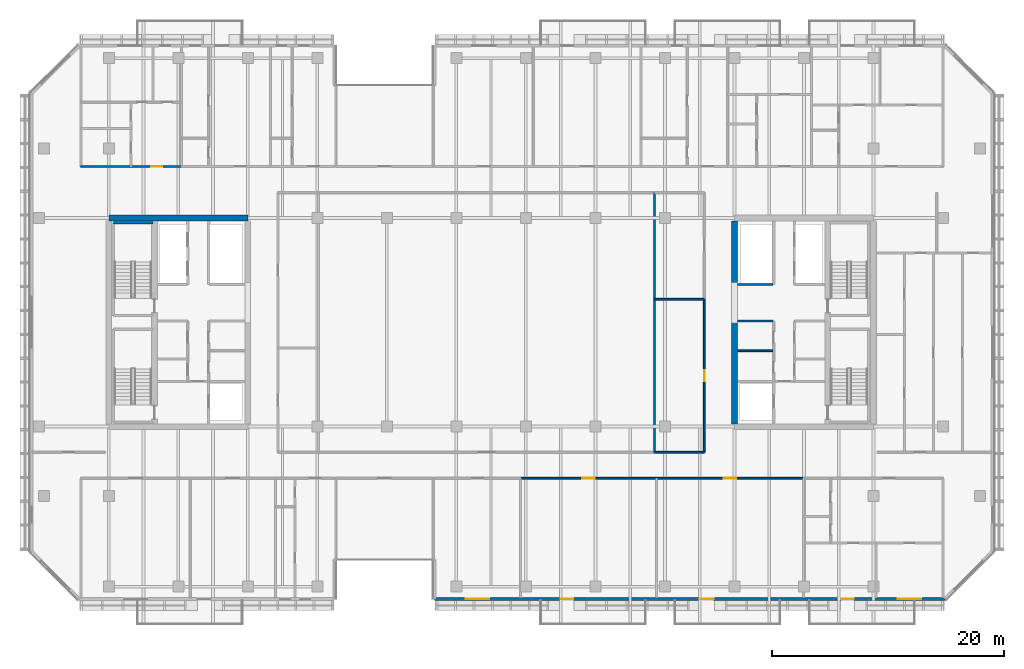
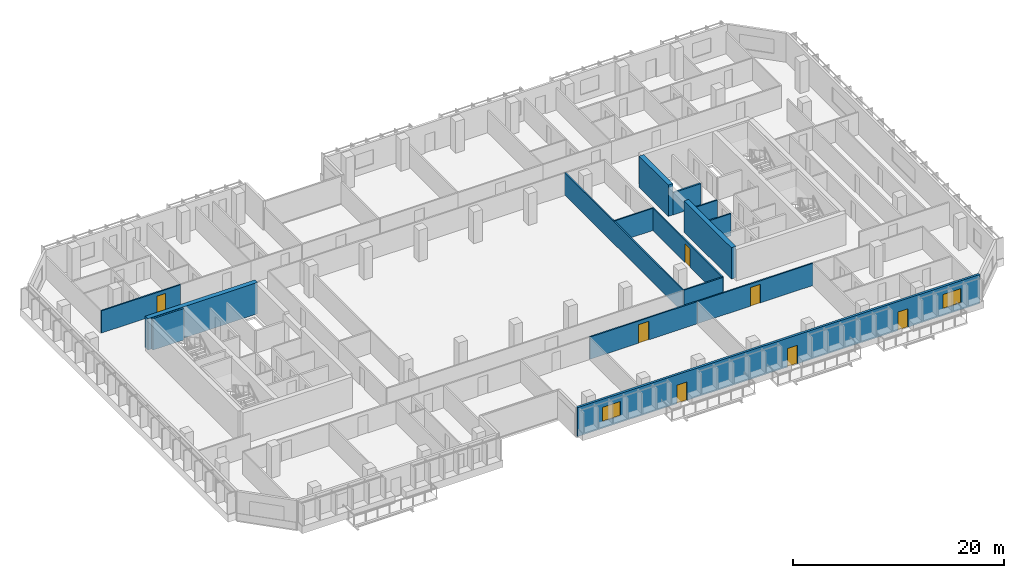
# One storey, part 12 of 23: 15 walls, 7 doors, 2 windows, 9 openings.
"""IFC4 building model written with IfcOpenShell, lengths in metres."""

from ifc_helpers import new_model, si_unit, direction, frame, frame_2d, origin, place, context, subcontext, project, spatial, rectangle, extrude, material, layer, layer_set, type_object, element, fill, save


model = new_model("IFC4")

# Units and contexts
model_context = context("Model", 3, precision=1e-05, world=origin(), true_north=direction((0.0, 1.0)))
body_context = subcontext(model_context, "Body", "Model", "MODEL_VIEW")
ifc_project = project(units=[si_unit("LENGTHUNIT", "METRE"), si_unit("AREAUNIT", "SQUARE_METRE"), si_unit("VOLUMEUNIT", "CUBIC_METRE"), si_unit("PLANEANGLEUNIT", "RADIAN"), si_unit("MASSUNIT", "GRAM", prefix="KILO")], contexts=[model_context])

# Site, building, storey
site_placement = place(None, origin())
site = spatial("IfcSite", under=ifc_project, at=site_placement, CompositionType="ELEMENT")
building_placement = place(site_placement, origin())
building = spatial("IfcBuilding", under=site, at=building_placement, Name="Tanjung Sevakor Pilgrim Tower", CompositionType="ELEMENT")
storey_placement = place(building_placement, frame((0.0, 0.0, 119.4599609375)))
storey = spatial("IfcBuildingStorey", under=building, at=storey_placement, Name="L33", CompositionType="ELEMENT", Elevation=119.4599609375)

# Walls
ifc_material_1 = material(Name="Concrete C60/75", Category="concrete")
ifc_layer_1 = layer(ifc_material_1, 0.5)
ifc_layer_set_1 = layer_set([ifc_layer_1], Name="WALL-CW-500")
wall_type_1 = type_object("IfcWallType", Name="WALL-CW-500", PredefinedType="SHEAR", material=ifc_layer_set_1)
wall_1_placement = place(storey_placement, frame((36.0, 42.60009765625, 0.0), z_axis=(0.0, 0.0, 1.0), x_axis=(-1.0, 0.0, 0.0)))
element("IfcWall", 1, at=wall_1_placement, inside=storey, type_object=wall_type_1, Name="L33 W Core North Shear Wall", PredefinedType="SHEAR", context=body_context, shape_type="SweptSolid", body=[
    extrude(rectangle(XDim=12.0, YDim=0.5, at=frame_2d((6.0, 0.0))), origin(), (0.0, 0.0, 1.0), 3.630126953125),
])
wall_2_placement = place(storey_placement, frame((78.0, 24.85009765625, 0.0), z_axis=(0.0, 0.0, 1.0), x_axis=(0.0, 1.0, 0.0)))
element("IfcWall", 2, at=wall_2_placement, inside=storey, type_object=wall_type_1, Name="L33 E Core Inner Shear Wall South", PredefinedType="SHEAR", context=body_context, shape_type="SweptSolid", body=[
    extrude(rectangle(XDim=8.949951171875, YDim=0.5, at=frame_2d((4.47509765625, 0.0))), origin(), (0.0, 0.0, 1.0), 3.630126953125),
])
wall_3_placement = place(storey_placement, frame((78.0, 36.800048828125, 0.0), z_axis=(0.0, 0.0, 1.0), x_axis=(0.0, 1.0, 0.0)))
element("IfcWall", 3, at=wall_3_placement, inside=storey, type_object=wall_type_1, Name="L33 E Core Inner Shear Wall North", PredefinedType="SHEAR", context=body_context, shape_type="SweptSolid", body=[
    extrude(rectangle(XDim=5.550048828125, YDim=0.5, at=frame_2d((2.77490234375, 0.0))), origin(), (0.0, 0.0, 1.0), 3.630126953125),
])
ifc_material_2 = material(Name="Concrete C40/50", Category="concrete")
ifc_layer_2 = layer(ifc_material_2, 0.14990234375)
ifc_layer_set_2 = layer_set([ifc_layer_2], Name="WT-COMP-150")
wall_type_2 = type_object("IfcWallType", Name="WT-COMP-150", PredefinedType="SOLIDWALL", material=ifc_layer_set_2)
for number, where, z_axis, x_axis, name in (
    (4, (78.27001953125, 31.14990234375, 0.0), (0.0, 0.0, 1.0), (1.0, 0.0, 0.0), "L33 Partition IW-L33-018"),
    (5, (78.27001953125, 33.719970703125, 0.0), (0.0, 0.0, 1.0), (1.0, 0.0, 0.0), "L33 Partition IW-L33-019"),
):
    element("IfcWall", number, at=place(storey_placement, frame(where, z_axis=z_axis, x_axis=x_axis)), inside=storey, type_object=wall_type_2, Name=name, PredefinedType="SOLIDWALL", context=body_context, shape_type="SweptSolid", body=[
        extrude(rectangle(XDim=3.050048828125, YDim=0.14990234375, at=frame_2d((1.52490234375, 0.0))), origin(), (0.0, 0.0, 1.0), 2.570068359375),
    ])
wall_4_placement = place(storey_placement, frame((71.10009765625, 22.39990234375, 0.0), z_axis=(0.0, 0.0, 1.0), x_axis=(0.0, 1.0, 0.0)))
element("IfcWall", 6, at=wall_4_placement, inside=storey, type_object=wall_type_2, Name="L33 Partition IW-L33-033", PredefinedType="SOLIDWALL", context=body_context, shape_type="SweptSolid", body=[
    extrude(rectangle(XDim=22.400146484375, YDim=0.14990234375, at=frame_2d((11.2001953125, 0.0))), origin(), (0.0, 0.0, 1.0), 2.570068359375),
])
for number, where, z_axis, x_axis, name in (
    (7, (71.10009765625, 22.39990234375, 0.0), (0.0, 0.0, 1.0), (1.0, 0.0, 0.0), "L33 Partition IW-L33-034"),
    (8, (71.10009765625, 35.60009765625, 0.0), (0.0, 0.0, 1.0), (1.0, 0.0, 0.0), "L33 Partition IW-L33-035"),
):
    element("IfcWall", number, at=place(storey_placement, frame(where, z_axis=z_axis, x_axis=x_axis)), inside=storey, type_object=wall_type_2, Name=name, PredefinedType="SOLIDWALL", context=body_context, shape_type="SweptSolid", body=[
        extrude(rectangle(XDim=4.2998046875, YDim=0.14990234375, at=frame_2d((2.14990234375, 0.0))), origin(), (0.0, 0.0, 1.0), 2.570068359375),
    ])

# Wall, opening, door
wall_5_placement = place(storey_placement, frame((75.39990234375, 22.39990234375, 0.0), z_axis=(0.0, 0.0, 1.0), x_axis=(0.0, 1.0, 0.0)))
wall_5 = element("IfcWall", 9, at=wall_5_placement, inside=storey, type_object=wall_type_2, Name="L33 Partition IW-L33-036", PredefinedType="SOLIDWALL", context=body_context, shape_type="SweptSolid", body=[
    extrude(rectangle(XDim=13.2001953125, YDim=0.14990234375, at=frame_2d((6.60009765625, 0.0))), origin(), (0.0, 0.0, 1.0), 2.570068359375),
])
opening_1_placement = place(wall_5_placement, frame((6.125, 0.0, 0.0)))
opening_1 = element("IfcOpeningElement", 10, at=opening_1_placement, cuts=wall_5, Name="Opening ID-RM1", PredefinedType="OPENING", context=body_context, shape_type="SweptSolid", body=[
    extrude(rectangle(XDim=0.949951171875, YDim=2.14990234375, at=frame_2d((0.47509765625, 1.074951171875))), frame((0.0, 0.0849609375, 0.0), z_axis=(0.0, -1.0, 0.0), x_axis=(1.0, 0.0, 0.0)), (0.0, 0.0, 1.0), 0.169921875),
])
ifc_material_3 = material(Name="Hardwood Timber", Category="wood")
door_type_1 = type_object("IfcDoorType", Name="DT-INT-950", OperationType="NOTDEFINED", PredefinedType="DOOR", material=ifc_material_3)
door_1_placement = place(opening_1_placement, origin())
door_1 = element("IfcDoor", 11, at=door_1_placement, inside=storey, type_object=door_type_1, Name="L33 Female Ablution Door", OperationType="SINGLE_SWING_RIGHT", OverallHeight=2.14990234375, OverallWidth=0.949951171875, PredefinedType="DOOR", context=body_context, shape_type="SweptSolid", body=[
    extrude(rectangle(XDim=0.949951171875, YDim=2.14990234375, at=frame_2d((0.47509765625, 1.074951171875))), frame((0.0, 0.02490234375, 0.0), z_axis=(0.0, -1.0, 0.0), x_axis=(1.0, 0.0, 0.0)), (0.0, 0.0, 1.0), 0.050048828125),
])
fill(opening_1, door_1)

wall_6_placement = place(storey_placement, frame((59.536376953125, 20.14990234375, 0.0), z_axis=(0.0, 0.0, 1.0), x_axis=(1.0, 0.0, 0.0)))
wall_6 = element("IfcWall", 12, at=wall_6_placement, inside=storey, type_object=wall_type_2, Name="L33 Partition IW-L33-065", PredefinedType="SOLIDWALL", context=body_context, shape_type="SweptSolid", body=[
    extrude(rectangle(XDim=11.742431640625, YDim=0.14990234375, at=frame_2d((5.87109375, 0.0))), origin(), (0.0, 0.0, 1.0), 2.570068359375),
])
opening_2_placement = place(wall_6_placement, frame((5.3212890625, 0.0, 0.0)))
opening_2 = element("IfcOpeningElement", 13, at=opening_2_placement, cuts=wall_6, Name="Opening ID-FD0", PredefinedType="OPENING", context=body_context, shape_type="SweptSolid", body=[
    extrude(rectangle(XDim=1.10009765625, YDim=2.14990234375, at=frame_2d((0.550048828125, 1.074951171875))), frame((0.0, 0.0849609375, 0.0), z_axis=(0.0, -1.0, 0.0), x_axis=(1.0, 0.0, 0.0)), (0.0, 0.0, 1.0), 0.169921875),
])
ifc_material_4 = material(Name="Fire-Rated Steel S355J2", Category="steel")
door_type_2 = type_object("IfcDoorType", Name="DT-FIRE-1100", OperationType="NOTDEFINED", PredefinedType="DOOR", material=ifc_material_4)
door_2_placement = place(opening_2_placement, origin())
door_2 = element("IfcDoor", 14, at=door_2_placement, inside=storey, type_object=door_type_2, Name="Seminar Room Door", OperationType="SINGLE_SWING_RIGHT", OverallHeight=2.14990234375, OverallWidth=1.10009765625, PredefinedType="DOOR", context=body_context, shape_type="SweptSolid", body=[
    extrude(rectangle(XDim=1.10009765625, YDim=2.14990234375, at=frame_2d((0.550048828125, 1.074951171875))), frame((0.0, 0.02490234375, 0.0), z_axis=(0.0, -1.0, 0.0), x_axis=(1.0, 0.0, 0.0)), (0.0, 0.0, 1.0), 0.050048828125),
])
fill(opening_2, door_2)

wall_7_placement = place(storey_placement, frame((71.27880859375, 20.14990234375, 0.0), z_axis=(0.0, 0.0, 1.0), x_axis=(1.0, 0.0, 0.0)))
wall_7 = element("IfcWall", 15, at=wall_7_placement, inside=storey, type_object=wall_type_2, Name="L33 Partition IW-L33-067", PredefinedType="SOLIDWALL", context=body_context, shape_type="SweptSolid", body=[
    extrude(rectangle(XDim=12.669677734375, YDim=0.14990234375, at=frame_2d((6.3349609375, 0.0))), origin(), (0.0, 0.0, 1.0), 2.570068359375),
])
opening_3_placement = place(wall_7_placement, frame((5.784912109375, 0.0, 0.0)))
opening_3 = element("IfcOpeningElement", 16, at=opening_3_placement, cuts=wall_7, Name="Opening ID-FD0", PredefinedType="OPENING", context=body_context, shape_type="SweptSolid", body=[
    extrude(rectangle(XDim=1.10009765625, YDim=2.14990234375, at=frame_2d((0.550048828125, 1.074951171875))), frame((0.0, 0.0849609375, 0.0), z_axis=(0.0, -1.0, 0.0), x_axis=(1.0, 0.0, 0.0)), (0.0, 0.0, 1.0), 0.169921875),
])
door_3_placement = place(opening_3_placement, origin())
door_3 = element("IfcDoor", 17, at=door_3_placement, inside=storey, type_object=door_type_2, Name="Observatory Door", OperationType="SINGLE_SWING_LEFT", OverallHeight=2.14990234375, OverallWidth=1.10009765625, PredefinedType="DOOR", context=body_context, shape_type="SweptSolid", body=[
    extrude(rectangle(XDim=1.10009765625, YDim=2.14990234375, at=frame_2d((0.550048828125, 1.074951171875))), frame((0.0, 0.02490234375, 0.0), z_axis=(0.0, -1.0, 0.0), x_axis=(1.0, 0.0, 0.0)), (0.0, 0.0, 1.0), 0.050048828125),
])
fill(opening_3, door_3)

wall_8_placement = place(storey_placement, frame((21.60009765625, 47.050048828125, 0.0), z_axis=(0.0, 0.0, 1.0), x_axis=(1.0, 0.0, 0.0)))
wall_8 = element("IfcWall", 18, at=wall_8_placement, inside=storey, type_object=wall_type_2, Name="L33 Partition IW-L33-079", PredefinedType="SOLIDWALL", context=body_context, shape_type="SweptSolid", body=[
    extrude(rectangle(XDim=8.673095703125, YDim=0.14990234375, at=frame_2d((4.33642578125, 0.0))), origin(), (0.0, 0.0, 1.0), 2.570068359375),
])
opening_4_placement = place(wall_8_placement, frame((6.0615234375, 0.0, 0.0)))
opening_4 = element("IfcOpeningElement", 19, at=opening_4_placement, cuts=wall_8, Name="Opening ID-FD2", PredefinedType="OPENING", context=body_context, shape_type="SweptSolid", body=[
    extrude(rectangle(XDim=0.949951171875, YDim=2.14990234375, at=frame_2d((0.47509765625, 1.074951171875))), frame((0.0, 0.0849609375, 0.0), z_axis=(0.0, -1.0, 0.0), x_axis=(1.0, 0.0, 0.0)), (0.0, 0.0, 1.0), 0.169921875),
])
ifc_material_5 = material(Name="Fire-Rated Timber", Category="wood")
door_type_3 = type_object("IfcDoorType", Name="DT-FIRE-950", OperationType="NOTDEFINED", PredefinedType="DOOR", material=ifc_material_5)
door_4_placement = place(opening_4_placement, origin())
door_4 = element("IfcDoor", 20, at=door_4_placement, inside=storey, type_object=door_type_3, Name="Suite Entrance", OperationType="SINGLE_SWING_LEFT", OverallHeight=2.14990234375, OverallWidth=0.949951171875, PredefinedType="DOOR", context=body_context, shape_type="SweptSolid", body=[
    extrude(rectangle(XDim=0.949951171875, YDim=2.14990234375, at=frame_2d((0.47509765625, 1.074951171875))), frame((0.0, 0.02490234375, 0.0), z_axis=(0.0, -1.0, 0.0), x_axis=(1.0, 0.0, 0.0)), (0.0, 0.0, 1.0), 0.050048828125),
])
fill(opening_4, door_4)

# Wall, openings, doors, windows
ifc_material_6 = material(Name="Precast concrete C45/55", Category="concrete")
ifc_layer_3 = layer(ifc_material_6, 0.25)
ifc_layer_set_3 = layer_set([ifc_layer_3], Name="WT-EW-STN3")
wall_type_3 = type_object("IfcWallType", Name="WT-EW-STN3", PredefinedType="SOLIDWALL", material=ifc_layer_set_3)
wall_9_placement = place(storey_placement, frame((52.125, 9.72509765625, 0.0), z_axis=(0.0, 0.0, 1.0), x_axis=(1.0, 0.0, 0.0)))
wall_9 = element("IfcWall", 21, at=wall_9_placement, inside=storey, type_object=wall_type_3, Name="L33 MAIN Exterior Wall 5", PredefinedType="SOLIDWALL", context=body_context, shape_type="SweptSolid", body=[
    extrude(rectangle(XDim=44.023193359375, YDim=0.25, at=frame_2d((22.01171875, 0.0))), origin(), (0.0, 0.0, 1.0), 3.35009765625),
])
opening_5_placement = place(wall_9_placement, frame((10.875, 0.0, 0.0)))
opening_5 = element("IfcOpeningElement", 22, at=opening_5_placement, cuts=wall_9, Name="Opening ED-BAL-1100", PredefinedType="OPENING", context=body_context, shape_type="SweptSolid", body=[
    extrude(rectangle(XDim=1.10009765625, YDim=2.14990234375, at=frame_2d((0.550048828125, 1.074951171875))), frame((0.0, 0.135009765625, 0.0), z_axis=(0.0, -1.0, 0.0), x_axis=(1.0, 0.0, 0.0)), (0.0, 0.0, 1.0), 0.27001953125),
])
opening_6_placement = place(wall_9_placement, frame((22.97509765625, 0.0, 0.0)))
opening_6 = element("IfcOpeningElement", 23, at=opening_6_placement, cuts=wall_9, Name="Opening ED-BAL-1100", PredefinedType="OPENING", context=body_context, shape_type="SweptSolid", body=[
    extrude(rectangle(XDim=1.10009765625, YDim=2.14990234375, at=frame_2d((0.550048828125, 1.074951171875))), frame((0.0, 0.135009765625, 0.0), z_axis=(0.0, -1.0, 0.0), x_axis=(1.0, 0.0, 0.0)), (0.0, 0.0, 1.0), 0.27001953125),
])
opening_7_placement = place(wall_9_placement, frame((35.074951171875, 0.0, 0.0)))
opening_7 = element("IfcOpeningElement", 24, at=opening_7_placement, cuts=wall_9, Name="Opening ED-BAL-1100", PredefinedType="OPENING", context=body_context, shape_type="SweptSolid", body=[
    extrude(rectangle(XDim=1.10009765625, YDim=2.14990234375, at=frame_2d((0.550048828125, 1.074951171875))), frame((0.0, 0.135009765625, 0.0), z_axis=(0.0, -1.0, 0.0), x_axis=(1.0, 0.0, 0.0)), (0.0, 0.0, 1.0), 0.27001953125),
])
opening_8_placement = place(wall_9_placement, frame((2.703125, 0.0, 0.780029296875)))
opening_8 = element("IfcOpeningElement", 25, at=opening_8_placement, cuts=wall_9, Name="Opening WN-Z2-1660", PredefinedType="OPENING", context=body_context, shape_type="SweptSolid", body=[
    extrude(rectangle(XDim=2.0, YDim=1.659912109375, at=frame_2d((1.0, 0.830078125))), frame((0.0, 0.135009765625, 0.0), z_axis=(0.0, -1.0, 0.0), x_axis=(1.0, 0.0, 0.0)), (0.0, 0.0, 1.0), 0.27001953125),
])
opening_9_placement = place(wall_9_placement, frame((39.97265625, 0.0, 0.780029296875)))
opening_9 = element("IfcOpeningElement", 26, at=opening_9_placement, cuts=wall_9, Name="Opening WN-Z2-1660", PredefinedType="OPENING", context=body_context, shape_type="SweptSolid", body=[
    extrude(rectangle(XDim=2.0, YDim=1.659912109375, at=frame_2d((1.0, 0.830078125))), frame((0.0, 0.135009765625, 0.0), z_axis=(0.0, -1.0, 0.0), x_axis=(1.0, 0.0, 0.0)), (0.0, 0.0, 1.0), 0.27001953125),
])
ifc_material_7 = material(Name="Anodised Aluminium and Laminated Glass", Category="aluminium")
door_type_4 = type_object("IfcDoorType", Name="DTYP-ED-BAL-1100", OperationType="NOTDEFINED", PredefinedType="DOOR", material=ifc_material_7)
door_5_placement = place(opening_5_placement, frame((1.10009765625, 0.0, 0.0), z_axis=(0.0, 0.0, 1.0), x_axis=(-1.0, 0.0, 0.0)))
door_5 = element("IfcDoor", 27, at=door_5_placement, inside=storey, type_object=door_type_4, Name="L33 Balcony Door MAIN-S2", OperationType="SINGLE_SWING_LEFT", OverallHeight=2.14990234375, OverallWidth=1.10009765625, PredefinedType="DOOR", context=body_context, shape_type="SweptSolid", body=[
    extrude(rectangle(XDim=1.10009765625, YDim=2.14990234375, at=frame_2d((0.550048828125, 1.074951171875))), frame((0.0, 0.02490234375, 0.0), z_axis=(0.0, -1.0, 0.0), x_axis=(1.0, 0.0, 0.0)), (0.0, 0.0, 1.0), 0.050048828125),
])
fill(opening_5, door_5)
door_6_placement = place(opening_6_placement, frame((1.10009765625, 0.0, 0.0), z_axis=(0.0, 0.0, 1.0), x_axis=(-1.0, 0.0, 0.0)))
door_6 = element("IfcDoor", 28, at=door_6_placement, inside=storey, type_object=door_type_4, Name="L33 Balcony Door MAIN-S3", OperationType="SINGLE_SWING_RIGHT", OverallHeight=2.14990234375, OverallWidth=1.10009765625, PredefinedType="DOOR", context=body_context, shape_type="SweptSolid", body=[
    extrude(rectangle(XDim=1.10009765625, YDim=2.14990234375, at=frame_2d((0.550048828125, 1.074951171875))), frame((0.0, 0.02490234375, 0.0), z_axis=(0.0, -1.0, 0.0), x_axis=(1.0, 0.0, 0.0)), (0.0, 0.0, 1.0), 0.050048828125),
])
fill(opening_6, door_6)
door_7_placement = place(opening_7_placement, frame((1.10009765625, 0.0, 0.0), z_axis=(0.0, 0.0, 1.0), x_axis=(-1.0, 0.0, 0.0)))
door_7 = element("IfcDoor", 29, at=door_7_placement, inside=storey, type_object=door_type_4, Name="L33 Balcony Door MAIN-S4", OperationType="SINGLE_SWING_LEFT", OverallHeight=2.14990234375, OverallWidth=1.10009765625, PredefinedType="DOOR", context=body_context, shape_type="SweptSolid", body=[
    extrude(rectangle(XDim=1.10009765625, YDim=2.14990234375, at=frame_2d((0.550048828125, 1.074951171875))), frame((0.0, 0.02490234375, 0.0), z_axis=(0.0, -1.0, 0.0), x_axis=(1.0, 0.0, 0.0)), (0.0, 0.0, 1.0), 0.050048828125),
])
fill(opening_7, door_7)
ifc_material_8 = material(Name="Thermally Broken Aluminium and Low-E Glass", Category="aluminium")
window_type = type_object("IfcWindowType", Name="WTYP-WN-Z2-1660", PartitioningType="DOUBLE_PANEL_VERTICAL", PredefinedType="WINDOW", material=ifc_material_8)
window_1_placement = place(opening_8_placement, origin())
window_1 = element("IfcWindow", 30, at=window_1_placement, inside=storey, type_object=window_type, Name="L33 Facade Window 01", OverallHeight=1.659912109375, OverallWidth=2.0, PartitioningType="SINGLE_PANEL", PredefinedType="WINDOW", context=body_context, shape_type="SweptSolid", body=[
    extrude(rectangle(XDim=2.0, YDim=1.659912109375, at=frame_2d((1.0, 0.830078125))), frame((0.0, 0.030029296875, 0.0), z_axis=(0.0, -1.0, 0.0), x_axis=(1.0, 0.0, 0.0)), (0.0, 0.0, 1.0), 0.06005859375),
])
fill(opening_8, window_1)
window_2_placement = place(opening_9_placement, origin())
window_2 = element("IfcWindow", 31, at=window_2_placement, inside=storey, type_object=window_type, Name="L33 Facade Window 02", OverallHeight=1.659912109375, OverallWidth=2.0, PartitioningType="SINGLE_PANEL", PredefinedType="WINDOW", context=body_context, shape_type="SweptSolid", body=[
    extrude(rectangle(XDim=2.0, YDim=1.659912109375, at=frame_2d((1.0, 0.830078125))), frame((0.0, 0.030029296875, 0.0), z_axis=(0.0, -1.0, 0.0), x_axis=(1.0, 0.0, 0.0)), (0.0, 0.0, 1.0), 0.06005859375),
])
fill(opening_9, window_2)

# Walls
ifc_material_9 = material(Name="Concrete C40/50", Category="concrete")
ifc_layer_4 = layer(ifc_material_9, 0.199951171875)
ifc_layer_set_4 = layer_set([ifc_layer_4], Name="WT-FIRE-200")
wall_type_4 = type_object("IfcWallType", Name="WT-FIRE-200", PredefinedType="SOLIDWALL", material=ifc_layer_set_4)
wall_10_placement = place(storey_placement, frame((27.800048828125, 42.199951171875, 0.0), z_axis=(0.0, 0.0, 1.0), x_axis=(-1.0, 0.0, 0.0)))
element("IfcWall", 32, at=wall_10_placement, inside=storey, type_object=wall_type_4, Name="L33 TS-W2 Shaft Wall 2", PredefinedType="SOLIDWALL", context=body_context, shape_type="SweptSolid", body=[
    extrude(rectangle(XDim=3.400146484375, YDim=0.199951171875, at=frame_2d((1.7001953125, 0.0))), origin(), (0.0, 0.0, 1.0), 3.630126953125),
])
ifc_material_10 = material(Name="Concrete C40/50", Category="concrete")
ifc_layer_5 = layer(ifc_material_10, 0.199951171875)
ifc_layer_set_5 = layer_set([ifc_layer_5], Name="WT-FPRT-200")
wall_type_5 = type_object("IfcWallType", Name="WT-FPRT-200", PredefinedType="SOLIDWALL", material=ifc_layer_set_5)
wall_11_placement = place(storey_placement, frame((78.27001953125, 36.8798828125, 0.0), z_axis=(0.0, 0.0, 1.0), x_axis=(1.0, 0.0, 0.0)))
element("IfcWall", 33, at=wall_11_placement, inside=storey, type_object=wall_type_5, Name="L33 Partition IW-L33-023", PredefinedType="SOLIDWALL", context=body_context, shape_type="SweptSolid", body=[
    extrude(rectangle(XDim=3.050048828125, YDim=0.199951171875, at=frame_2d((1.52490234375, 0.0))), origin(), (0.0, 0.0, 1.0), 2.570068359375),
])

save(model, "model.ifc")
